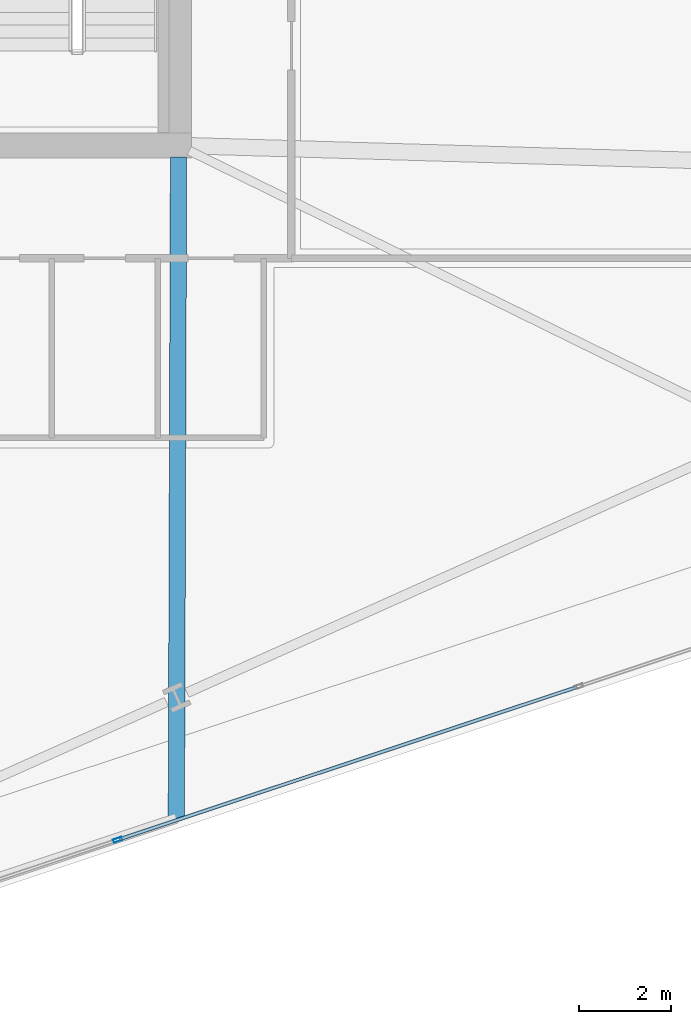
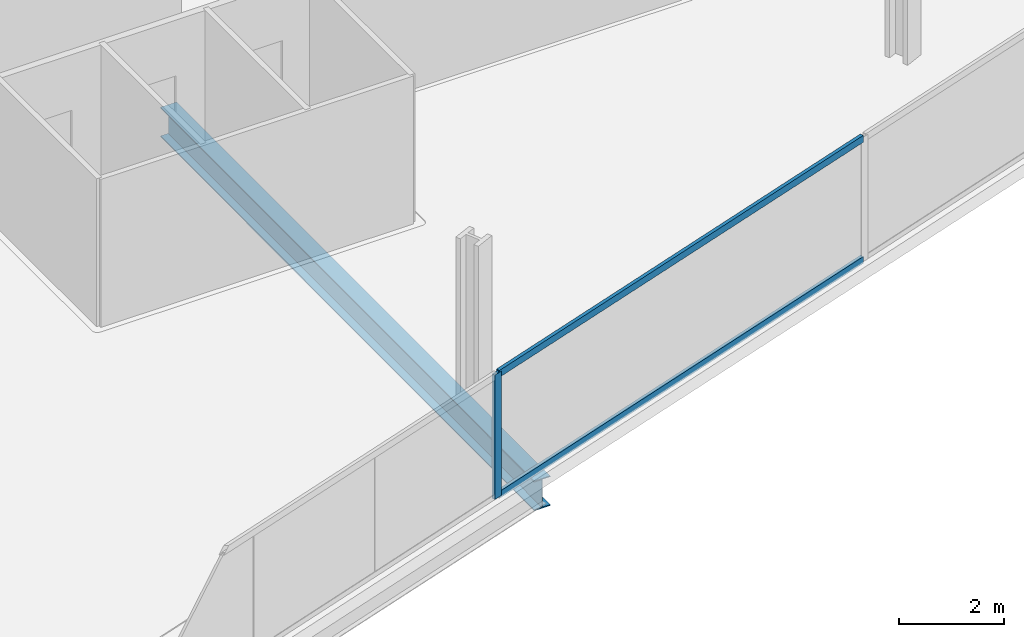
# One storey, part 8 of 34: 3 members, 1 beam, 1 element without a shape of its own.
"""IFC4 building model written with IfcOpenShell, lengths in metres."""

from ifc_helpers import new_model, si_unit, direction, frame, origin, origin_2d, place, context, subcontext, project, spatial, hollow_rectangle, i_section, extrude, material, material_profile, profile_set, type_object, element, aggregate, save


model = new_model("IFC4")

# Units and contexts
model_context = context("Model", 3, precision=1e-05, world=origin(), true_north=direction((0.0, 1.0)))
body_context = subcontext(model_context, "Body", "Model", "MODEL_VIEW")
ifc_project = project(units=[si_unit("LENGTHUNIT", "METRE"), si_unit("AREAUNIT", "SQUARE_METRE"), si_unit("VOLUMEUNIT", "CUBIC_METRE"), si_unit("PLANEANGLEUNIT", "RADIAN"), si_unit("MASSUNIT", "GRAM", prefix="KILO")], contexts=[model_context])

# Site, building, storey
site_placement = place(None, origin())
site = spatial("IfcSite", under=ifc_project, at=site_placement, CompositionType="ELEMENT")
building_placement = place(site_placement, origin())
building = spatial("IfcBuilding", under=site, at=building_placement, Name="Haldenkirk Collegiate Tower", CompositionType="ELEMENT")
storey_placement = place(building_placement, frame((0.0, 0.0, 90.449951171875)))
storey = spatial("IfcBuildingStorey", under=building, at=storey_placement, Name="L21", CompositionType="ELEMENT", Elevation=90.449951171875)

# Beam
ifc_material_1 = material(Name="Steel ASTM A992 Grade 50", Category="steel")
ifc_material_profile_1 = material_profile(ifc_material_1, i_section(OverallWidth=0.35498046875, OverallDepth=0.696044921875, WebThickness=0.015380859375, FlangeThickness=0.02490234375, at=origin_2d()), Name="W27X146")
ifc_profile_set_1 = profile_set([ifc_material_profile_1], Name="Steel ASTM A992 Grade 50")
beam_type = type_object("IfcBeamType", Name="BM-GIRDER-W27X146", PredefinedType="BEAM", material=ifc_profile_set_1)
beam_placement = place(storey_placement, frame((44.951171875, 3.389404296875, -0.64794921875), z_axis=(0.003333258128, 0.99999444468, 0.0), x_axis=(-0.99999444468, 0.003333258128, 0.0)))
element("IfcBeam", 1, at=beam_placement, inside=storey, type_object=beam_type, Name="L21 primary floor girder 06", PredefinedType="BEAM", context=body_context, shape_type="SweptSolid", body=[
    extrude(i_section(OverallWidth=0.35498046875, OverallDepth=0.696044921875, WebThickness=0.015380859375, FlangeThickness=0.02490234375, at=origin_2d()), origin(), (0.0, 0.0, 1.0), 14.355712890625),
])

# Curtain wall, members
ifc_material_2 = material(Name="Anodised architectural bronze aluminium", Category="aluminium")
curtain_wall_type = type_object("IfcCurtainWallType", Name="CW-SYS2-CONCAVE", PredefinedType="USERDEFINED", material=ifc_material_2)
curtain_wall_placement = place(storey_placement, origin())
curtain_wall = element("IfcCurtainWall", 2, at=curtain_wall_placement, inside=storey, type_object=curtain_wall_type, Name="L21 South concave recessed bronze-anodised curtain wall", ObjectType="UNITISED CURTAIN WALL", PredefinedType="USERDEFINED")
ifc_material_profile_2 = material_profile(ifc_material_2, hollow_rectangle(XDim=0.074951171875, YDim=0.18994140625, WallThickness=0.0048828125, at=origin_2d()), Name="CW-MUL-02")
ifc_profile_set_2 = profile_set([ifc_material_profile_2], Name="Anodised architectural bronze aluminium")
member_type_1 = type_object("IfcMemberType", Name="CW-MUL-02", PredefinedType="MULLION", material=ifc_profile_set_2)
member_1_placement = place(storey_placement, frame((43.676513671875, 2.92333984375, 0.0), z_axis=(0.0, 0.0, 1.0), x_axis=(0.315646901106, -0.948876722142, 0.0)))
member_1 = element("IfcMember", 3, at=member_1_placement, type_object=member_type_1, Name="CW-02 mullion 3", PredefinedType="MULLION", context=body_context, shape_type="SweptSolid", body=[
    extrude(hollow_rectangle(XDim=0.074951171875, YDim=0.18994140625, WallThickness=0.0048828125, at=origin_2d()), origin(), (0.0, 0.0, 1.0), 2.901123046875),
])
ifc_material_profile_3 = material_profile(ifc_material_2, hollow_rectangle(XDim=0.074951171875, YDim=0.159912109375, WallThickness=0.0048828125, at=origin_2d()), Name="CW-TRN-02")
ifc_profile_set_3 = profile_set([ifc_material_profile_3], Name="Anodised architectural bronze aluminium")
member_type_2 = type_object("IfcMemberType", Name="CW-TRN-02", PredefinedType="USERDEFINED", material=ifc_profile_set_3)
member_2_placement = place(storey_placement, frame((53.651611328125, 6.24169921875, 0.03759765625), z_axis=(-0.948876569046, -0.315647361333, 0.0), x_axis=(0.315647361333, -0.948876569046, 0.0)))
member_2 = element("IfcMember", 4, at=member_2_placement, type_object=member_type_2, Name="CW-02 transom 2.1", ObjectType="TRANSOM", PredefinedType="USERDEFINED", context=body_context, shape_type="SweptSolid", body=[
    extrude(hollow_rectangle(XDim=0.074951171875, YDim=0.159912109375, WallThickness=0.0048828125, at=origin_2d()), origin(), (0.0, 0.0, 1.0), 10.474853515625),
])
member_3_placement = place(storey_placement, frame((53.651611328125, 6.24169921875, 2.863525390625), z_axis=(-0.948876569046, -0.315647361333, 0.0), x_axis=(0.315647361333, -0.948876569046, 0.0)))
member_3 = element("IfcMember", 5, at=member_3_placement, type_object=member_type_2, Name="CW-02 transom 2.2", ObjectType="TRANSOM", PredefinedType="USERDEFINED", context=body_context, shape_type="SweptSolid", body=[
    extrude(hollow_rectangle(XDim=0.074951171875, YDim=0.159912109375, WallThickness=0.0048828125, at=origin_2d()), origin(), (0.0, 0.0, 1.0), 10.474853515625),
])
aggregate(curtain_wall, [member_1, member_2, member_3])

save(model, "model.ifc")
